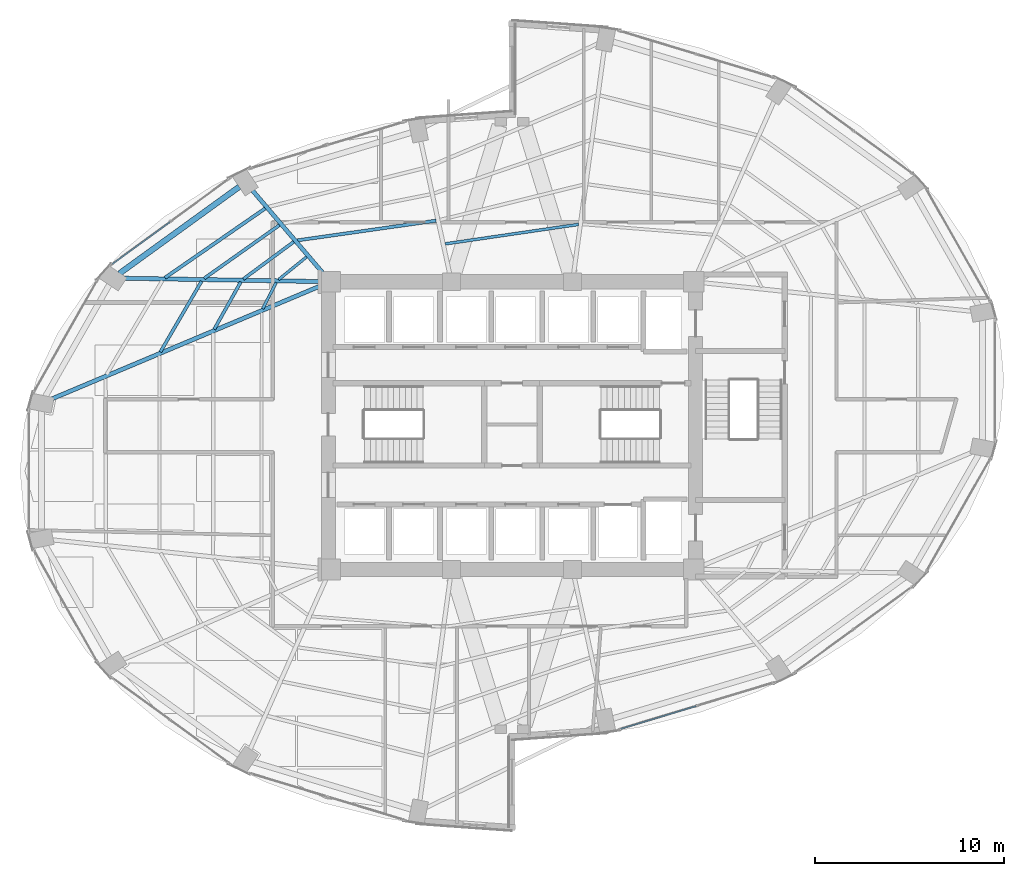
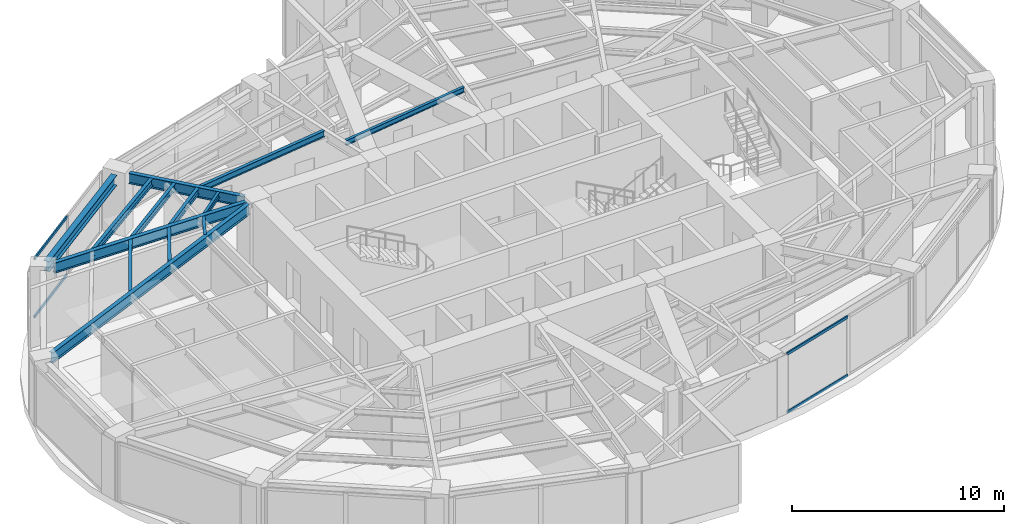
# One storey, part 9 of 23: 13 beams, 4 members, 2 elements without a shape of their own.
"""IFC4 building model written with IfcOpenShell, lengths in metres."""

import ifcopenshell
import ifcopenshell.guid

model = None  # the IFC model being written
_history = None  # IfcOwnerHistory: only IFC2X3 demands one
_inside = {}  # id of a spatial element -> (the spatial element, [elements in it])
_under = {}  # id of a project, library or spatial element -> (it, [spatial elements below it])
_declared = {}  # id of a project -> (the project, [libraries it declares])
_typed = {}  # id of a type object -> (the type object, [elements of that type])
_made_of = {}  # id of a material, layer set ... -> (it, [elements and type objects made of it])


def new_model(schema):
    """Start an empty IFC model of exactly this schema.

    Asked for "IFC4X3", IfcOpenShell would pick the latest addendum, in which some entities
    have other attributes; the version numbers below select the first issue.
    IFC2X3 requires an IfcOwnerHistory on every rooted entity: one is made here for all.
    """
    global model, _history
    if schema == "IFC4X3":
        model = ifcopenshell.file(schema_version=(4, 3, 0, 0))
    else:
        model = ifcopenshell.file(schema=schema)
    _inside.clear()
    _under.clear()
    _declared.clear()
    _typed.clear()
    _made_of.clear()
    _history = None
    if model.schema == "IFC2X3":
        org = make("IfcOrganization", Name="unknown")
        user = make(
            "IfcPersonAndOrganization",
            ThePerson=make("IfcPerson", FamilyName="unknown"),
            TheOrganization=org,
        )
        app = make(
            "IfcApplication",
            ApplicationDeveloper=org,
            Version="unknown",
            ApplicationFullName="unknown",
            ApplicationIdentifier="unknown",
        )
        _history = make(
            "IfcOwnerHistory",
            OwningUser=user,
            OwningApplication=app,
            ChangeAction="ADDED",
            CreationDate=0,
        )
    return model


def make(cls, **values):
    """One entity of the class cls with the attributes given. An attribute that is None is left unset."""
    return model.create_entity(
        cls, **{name: value for name, value in values.items() if value is not None}
    )


def rooted(cls, **values):
    """An entity with a GlobalId (a new one), such as an element, a storey or a relation."""
    return make(cls, GlobalId=ifcopenshell.guid.new(), OwnerHistory=_history, **values)


def si_unit(unit_type, name, prefix=None):
    """IfcSIUnit, for example si_unit("LENGTHUNIT", "METRE", prefix="MILLI")."""
    return make("IfcSIUnit", UnitType=unit_type, Prefix=prefix, Name=name)


def assignment(units):
    """IfcUnitAssignment: the units of a project."""
    return None if units is None else make("IfcUnitAssignment", Units=units)


def point(xyz):
    """IfcCartesianPoint."""
    return None if xyz is None else make("IfcCartesianPoint", Coordinates=xyz)


def direction(xyz):
    """IfcDirection."""
    return None if xyz is None else make("IfcDirection", DirectionRatios=xyz)


def frame(location, z_axis=None, x_axis=None):
    """IfcAxis2Placement3D, a coordinate frame: its origin and axes. An axis left out is left unset."""
    return make(
        "IfcAxis2Placement3D",
        Location=point(location),
        Axis=direction(z_axis),
        RefDirection=direction(x_axis),
    )


def frame_2d(location, x_axis=None):
    """IfcAxis2Placement2D, a coordinate frame in the plane: its origin and x axis."""
    return make(
        "IfcAxis2Placement2D", Location=point(location), RefDirection=direction(x_axis)
    )


def origin():
    """The frame at (0, 0, 0) with its axes left unset."""
    return frame((0.0, 0.0, 0.0))


def origin_2d():
    """The frame at (0, 0) in the plane with its x axis left unset."""
    return frame_2d((0.0, 0.0))


def place(relative_to, where):
    """IfcLocalPlacement: puts the frame where relative to a parent placement (None: the world)."""
    return make(
        "IfcLocalPlacement", PlacementRelTo=relative_to, RelativePlacement=where
    )


def context(
    kind, dimensions, precision=None, world=None, true_north=None, identifier=None
):
    """IfcGeometricRepresentationContext, for example the 3D "Model" context."""
    return make(
        "IfcGeometricRepresentationContext",
        ContextIdentifier=identifier,
        ContextType=kind,
        CoordinateSpaceDimension=dimensions,
        Precision=precision,
        WorldCoordinateSystem=world,
        TrueNorth=true_north,
    )


def subcontext(parent, identifier, kind, view, scale=None):
    """IfcGeometricRepresentationSubContext, for example "Body" below "Model"."""
    return make(
        "IfcGeometricRepresentationSubContext",
        ContextIdentifier=identifier,
        ContextType=kind,
        ParentContext=parent,
        TargetScale=scale,
        TargetView=view,
    )


def project(units=None, contexts=None):
    """IfcProject with its units and contexts."""
    return rooted(
        "IfcProject",
        Name="project",
        RepresentationContexts=contexts,
        UnitsInContext=assignment(units),
    )


def spatial(cls, under=None, at=None, **own):
    """A site, building, storey or space (cls), placed at a placement, below another one or the project."""
    s = rooted(cls, ObjectPlacement=at, **own)
    if under is not None:
        _under.setdefault(under.id(), (under, []))[1].append(s)
    return s


def profile(cls, at=None, kind="AREA", **sizes):
    """A parametric profile (cls). Its sizes go by their IFC names, for example OverallWidth=200.0."""
    return make(cls, ProfileType=kind, Position=at, **sizes)


def hollow_rectangle(**sizes):
    """IfcRectangleHollowProfileDef."""
    return profile("IfcRectangleHollowProfileDef", **sizes)


def i_section(**sizes):
    """IfcIShapeProfileDef."""
    return profile("IfcIShapeProfileDef", **sizes)


def extrude(swept, where, along, depth):
    """IfcExtrudedAreaSolid: the profile swept, set in the frame where, extruded along a direction by depth."""
    return make(
        "IfcExtrudedAreaSolid",
        SweptArea=swept,
        Position=where,
        ExtrudedDirection=direction(along),
        Depth=depth,
    )


def shape(context_of_items, identifier, shape_type, items):
    """IfcShapeRepresentation: the items that make up one representation, for example the "Body"."""
    return make(
        "IfcShapeRepresentation",
        ContextOfItems=context_of_items,
        RepresentationIdentifier=identifier,
        RepresentationType=shape_type,
        Items=items,
    )


def material(Name=None, Category=None):
    """IfcMaterial."""
    return make("IfcMaterial", Name=Name, Category=Category)


def layer(
    of_material, thickness, ventilated=None, Name=None, Category=None, Priority=None
):
    """IfcMaterialLayer: one layer of a wall or slab, of a material (None: an air gap)."""
    return make(
        "IfcMaterialLayer",
        Material=of_material,
        LayerThickness=thickness,
        IsVentilated=ventilated,
        Name=Name,
        Category=Category,
        Priority=Priority,
    )


def layer_set(layers, Name=None):
    """IfcMaterialLayerSet."""
    return make("IfcMaterialLayerSet", MaterialLayers=layers, LayerSetName=Name)


def material_profile(
    of_material, cross_section, Name=None, Category=None, Priority=None
):
    """IfcMaterialProfile: a cross section and its material."""
    return make(
        "IfcMaterialProfile",
        Name=Name,
        Material=of_material,
        Profile=cross_section,
        Priority=Priority,
        Category=Category,
    )


def profile_set(profiles, Name=None, composite=None):
    """IfcMaterialProfileSet."""
    return make(
        "IfcMaterialProfileSet",
        Name=Name,
        MaterialProfiles=profiles,
        CompositeProfile=composite,
    )


def made_of(thing, what):
    """Note that an element or type object is made of a material, layer set ...; save() writes the relation."""
    if what is not None:
        _made_of.setdefault(what.id(), (what, []))[1].append(thing)
    return thing


def type_object(cls, material=None, **own):
    """A type object (cls), such as IfcWallType, which elements share."""
    return made_of(rooted(cls, **own), material)


def element(
    cls,
    number,
    at=None,
    inside=None,
    cuts=None,
    type_object=None,
    material=None,
    context=None,
    identifier="Body",
    shape_type=None,
    held_by="IfcProductDefinitionShape",
    body=None,
    shapes=None,
    **own,
):
    """One element of the class cls, such as IfcWall. Its Tag is "e" and its number.

    at: its placement. inside: the storey or other place that contains it. cuts: it is an
    opening in that element (IfcRelVoidsElement). A single representation is given by context,
    identifier, shape_type and body (its items); several are given by shapes. held_by: the class
    of the entity that holds the representations. save() writes the other relations.
    """
    e = rooted(cls, Tag="e%d" % number, ObjectPlacement=at, **own)
    if body is not None:
        shapes = [shape(context, identifier, shape_type, body)]
    if shapes is not None:
        e.Representation = make(held_by, Representations=shapes)
    if inside is not None:
        _inside.setdefault(inside.id(), (inside, []))[1].append(e)
    if cuts is not None:
        rooted(
            "IfcRelVoidsElement", RelatingBuildingElement=cuts, RelatedOpeningElement=e
        )
    if type_object is not None:
        _typed.setdefault(type_object.id(), (type_object, []))[1].append(e)
    return made_of(e, material)


def aggregate(whole, parts):
    """IfcRelAggregates: a whole, such as a stair, and the parts it consists of."""
    return rooted("IfcRelAggregates", RelatingObject=whole, RelatedObjects=parts)


def save(model, path):
    """Write the relations noted so far, then the file.

    IfcRelAggregates (storeys below a building ...), IfcRelContainedInSpatialStructure (elements
    in a storey), IfcRelDefinesByType, IfcRelAssociatesMaterial and IfcRelDeclares: one each for
    every whole, place, type object, material and project.
    """
    for whole, parts in _under.values():
        aggregate(whole, parts)
    for where, things in _inside.values():
        rooted(
            "IfcRelContainedInSpatialStructure",
            RelatedElements=things,
            RelatingStructure=where,
        )
    for kind, things in _typed.values():
        rooted("IfcRelDefinesByType", RelatedObjects=things, RelatingType=kind)
    for what, things in _made_of.values():
        rooted("IfcRelAssociatesMaterial", RelatedObjects=things, RelatingMaterial=what)
    for by, libraries in _declared.values():
        rooted("IfcRelDeclares", RelatingContext=by, RelatedDefinitions=libraries)
    model.write(path)


model = new_model("IFC4")

# Units and contexts
model_context = context("Model", 3, precision=1e-05, world=origin(), true_north=direction((0.0, 1.0)))
body_context = subcontext(model_context, "Body", "Model", "MODEL_VIEW")
ifc_project = project(units=[si_unit("LENGTHUNIT", "METRE"), si_unit("AREAUNIT", "SQUARE_METRE"), si_unit("VOLUMEUNIT", "CUBIC_METRE"), si_unit("PLANEANGLEUNIT", "RADIAN"), si_unit("MASSUNIT", "GRAM", prefix="KILO")], contexts=[model_context])

# Site, building, storey
site_placement = place(None, origin())
site = spatial("IfcSite", under=ifc_project, at=site_placement, CompositionType="ELEMENT")
building_placement = place(site_placement, origin())
building = spatial("IfcBuilding", under=site, at=building_placement, Name="Lazwardi Medical Tower", CompositionType="ELEMENT")
storey_placement = place(building_placement, frame((0.0, 0.0, 81.743896484375)))
storey = spatial("IfcBuildingStorey", under=building, at=storey_placement, Name="L20", CompositionType="ELEMENT", Elevation=81.743896484375)

# Beams
ifc_material_1 = material(Name="Steel S355", Category="steel")
ifc_material_profile_1 = material_profile(ifc_material_1, i_section(OverallWidth=0.300048828125, OverallDepth=0.60009765625, WebThickness=0.015380859375, FlangeThickness=0.030029296875, at=origin_2d()), Name="HEB 600")
ifc_profile_set_1 = profile_set([ifc_material_profile_1], Name="Steel S355")
beam_type_1 = type_object("IfcBeamType", Name="BM-RB-Z2", PredefinedType="BEAM", material=ifc_profile_set_1)
beam_1_placement = place(storey_placement, frame((21.584228515625, 40.6171875, 3.128173828125), z_axis=(-0.810041907649, -0.586371987609, 0.0), x_axis=(0.586371987609, -0.810041907649, 0.0)))
element("IfcBeam", 1, at=beam_1_placement, inside=storey, type_object=beam_type_1, Name="Ring beam RB-03 B10 L20", PredefinedType="BEAM", context=body_context, shape_type="SweptSolid", body=[
    extrude(i_section(OverallWidth=0.300048828125, OverallDepth=0.60009765625, WebThickness=0.015380859375, FlangeThickness=0.030029296875, at=origin_2d()), origin(), (0.0, 0.0, 1.0), 7.814208984375),
])
ifc_material_profile_2 = material_profile(ifc_material_1, i_section(OverallWidth=0.219970703125, OverallDepth=0.60009765625, WebThickness=0.011962890625, FlangeThickness=0.01904296875, at=origin_2d()), Name="IPE 600")
ifc_profile_set_2 = profile_set([ifc_material_profile_2], Name="Steel S355")
beam_type_2 = type_object("IfcBeamType", Name="BM-RG-W1", PredefinedType="BEAM", material=ifc_profile_set_2)
beam_2_placement = place(storey_placement, frame((22.292724609375, 40.416259765625, 3.128173828125), z_axis=(0.648870567436, -0.760898801889, 0.0), x_axis=(0.760898801889, 0.648870567436, 0.0)))
element("IfcBeam", 2, at=beam_2_placement, inside=storey, type_object=beam_type_2, Name="Radial girder RG-02 R10 L20", PredefinedType="BEAM", context=body_context, shape_type="SweptSolid", body=[
    extrude(i_section(OverallWidth=0.219970703125, OverallDepth=0.60009765625, WebThickness=0.011962890625, FlangeThickness=0.01904296875, at=origin_2d()), origin(), (0.0, 0.0, 1.0), 5.794677734375),
])
beam_3_placement = place(storey_placement, frame((15.502197265625, 35.784912109375, 3.128173828125), z_axis=(0.99985616395, -0.016960289263, 0.0), x_axis=(0.016960289263, 0.99985616395, 0.0)))
element("IfcBeam", 3, at=beam_3_placement, inside=storey, type_object=beam_type_2, Name="Radial girder RG-02 R11 L20", PredefinedType="BEAM", context=body_context, shape_type="SweptSolid", body=[
    extrude(i_section(OverallWidth=0.219970703125, OverallDepth=0.60009765625, WebThickness=0.011962890625, FlangeThickness=0.01904296875, at=origin_2d()), origin(), (0.0, 0.0, 1.0), 10.3642578125),
])
beam_4_placement = place(storey_placement, frame((11.671630859375, 29.40478515625, 3.128173828125), z_axis=(0.921775176005, 0.38772480563, 0.0), x_axis=(-0.38772480563, 0.921775176005, 0.0)))
element("IfcBeam", 4, at=beam_4_placement, inside=storey, type_object=beam_type_2, Name="Radial girder RG-02 R12 L20", PredefinedType="BEAM", context=body_context, shape_type="SweptSolid", body=[
    extrude(i_section(OverallWidth=0.219970703125, OverallDepth=0.60009765625, WebThickness=0.011962890625, FlangeThickness=0.01904296875, at=origin_2d()), origin(), (0.0, 0.0, 1.0), 15.443359375),
])
ifc_material_profile_3 = material_profile(ifc_material_1, i_section(OverallWidth=0.179931640625, OverallDepth=0.39990234375, WebThickness=0.008544921875, FlangeThickness=0.013427734375, at=origin_2d()), Name="IPE 400")
ifc_profile_set_3 = profile_set([ifc_material_profile_3], Name="Steel S355")
beam_type_3 = type_object("IfcBeamType", Name="BM-SJ-01", PredefinedType="JOIST", material=ifc_profile_set_3)
beam_5_placement = place(storey_placement, frame((22.95849609375, 39.474609375, 3.22802734375), z_axis=(-0.822376339068, -0.568943896128, 0.0), x_axis=(0.568943896128, -0.822376339068, 0.0)))
element("IfcBeam", 5, at=beam_5_placement, inside=storey, type_object=beam_type_3, Name="Secondary joist SJ-01 R1 B10 L20", PredefinedType="JOIST", context=body_context, shape_type="SweptSolid", body=[
    extrude(i_section(OverallWidth=0.179931640625, OverallDepth=0.39990234375, WebThickness=0.008544921875, FlangeThickness=0.013427734375, at=origin_2d()), origin(), (0.0, 0.0, 1.0), 6.44189453125),
])
ifc_material_profile_4 = material_profile(ifc_material_1, i_section(OverallWidth=0.169921875, OverallDepth=0.360107421875, WebThickness=0.008056640625, FlangeThickness=0.0126953125, at=origin_2d()), Name="IPE 360")
ifc_profile_set_4 = profile_set([ifc_material_profile_4], Name="Steel S355")
beam_type_4 = type_object("IfcBeamType", Name="BM-SJ-02", PredefinedType="JOIST", material=ifc_profile_set_4)
beam_6_placement = place(storey_placement, frame((23.7109375, 38.591796875, 3.248046875), z_axis=(-0.816156371539, -0.577831097464, 0.0), x_axis=(0.577831097464, -0.816156371539, 0.0)))
element("IfcBeam", 6, at=beam_6_placement, inside=storey, type_object=beam_type_4, Name="Secondary joist SJ-02 R2 B10 L20", PredefinedType="JOIST", context=body_context, shape_type="SweptSolid", body=[
    extrude(i_section(OverallWidth=0.169921875, OverallDepth=0.360107421875, WebThickness=0.008056640625, FlangeThickness=0.0126953125, at=origin_2d()), origin(), (0.0, 0.0, 1.0), 4.8740234375),
])
beam_7_placement = place(storey_placement, frame((19.594482421875, 35.623779296875, 3.248046875), z_axis=(-0.503544274258, -0.86396942299, 0.0), x_axis=(0.86396942299, -0.503544274258, 0.0)))
element("IfcBeam", 7, at=beam_7_placement, inside=storey, type_object=beam_type_4, Name="Secondary joist SJ-02 R2 B11 L20", PredefinedType="JOIST", context=body_context, shape_type="SweptSolid", body=[
    extrude(i_section(OverallWidth=0.169921875, OverallDepth=0.360107421875, WebThickness=0.008056640625, FlangeThickness=0.0126953125, at=origin_2d()), origin(), (0.0, 0.0, 1.0), 4.321044921875),
])
beam_8_placement = place(storey_placement, frame((31.988525390625, 38.8271484375, 3.248046875), z_axis=(-0.990067108571, -0.140595592128, 0.0), x_axis=(0.140595592128, -0.990067108571, 0.0)))
element("IfcBeam", 8, at=beam_8_placement, inside=storey, type_object=beam_type_4, Name="Secondary joist SJ-02 R3 B09 L20", PredefinedType="JOIST", context=body_context, shape_type="SweptSolid", body=[
    extrude(i_section(OverallWidth=0.169921875, OverallDepth=0.360107421875, WebThickness=0.008056640625, FlangeThickness=0.0126953125, at=origin_2d()), origin(), (0.0, 0.0, 1.0), 7.409423828125),
])
beam_9_placement = place(storey_placement, frame((24.46435546875, 37.708251953125, 3.248046875), z_axis=(-0.804125525058, -0.594459536008, 0.0), x_axis=(0.594459536008, -0.804125525058, 0.0)))
element("IfcBeam", 9, at=beam_9_placement, inside=storey, type_object=beam_type_4, Name="Secondary joist SJ-02 R3 B10 L20", PredefinedType="JOIST", context=body_context, shape_type="SweptSolid", body=[
    extrude(i_section(OverallWidth=0.169921875, OverallDepth=0.360107421875, WebThickness=0.008056640625, FlangeThickness=0.0126953125, at=origin_2d()), origin(), (0.0, 0.0, 1.0), 3.30810546875),
])
beam_10_placement = place(storey_placement, frame((21.66845703125, 35.587890625, 3.248046875), z_axis=(-0.489860824278, -0.871800649711, 0.0), x_axis=(0.871800649711, -0.489860824278, 0.0)))
element("IfcBeam", 10, at=beam_10_placement, inside=storey, type_object=beam_type_4, Name="Secondary joist SJ-02 R3 B11 L20", PredefinedType="JOIST", context=body_context, shape_type="SweptSolid", body=[
    extrude(i_section(OverallWidth=0.169921875, OverallDepth=0.360107421875, WebThickness=0.008056640625, FlangeThickness=0.0126953125, at=origin_2d()), origin(), (0.0, 0.0, 1.0), 2.8662109375),
])
ifc_material_profile_5 = material_profile(ifc_material_1, i_section(OverallWidth=0.14990234375, OverallDepth=0.300048828125, WebThickness=0.007080078125, FlangeThickness=0.0107421875, at=origin_2d()), Name="IPE 300")
ifc_profile_set_5 = profile_set([ifc_material_profile_5], Name="Steel S355")
beam_type_5 = type_object("IfcBeamType", Name="BM-SJ-03", PredefinedType="JOIST", material=ifc_profile_set_5)
beam_11_placement = place(storey_placement, frame((39.511474609375, 38.62939453125, 3.278076171875), z_axis=(-0.98949221477, -0.144586157392, 0.0), x_axis=(0.144586157392, -0.98949221477, 0.0)))
element("IfcBeam", 11, at=beam_11_placement, inside=storey, type_object=beam_type_5, Name="Secondary joist SJ-03 R4 B08 L20", PredefinedType="JOIST", context=body_context, shape_type="SweptSolid", body=[
    extrude(i_section(OverallWidth=0.14990234375, OverallDepth=0.300048828125, WebThickness=0.007080078125, FlangeThickness=0.0107421875, at=origin_2d()), origin(), (0.0, 0.0, 1.0), 7.115478515625),
])
beam_12_placement = place(storey_placement, frame((25.14404296875, 36.910888671875, 3.278076171875), z_axis=(-0.77695773322, -0.629552762515, 0.0), x_axis=(0.629552762515, -0.77695773322, 0.0)))
element("IfcBeam", 12, at=beam_12_placement, inside=storey, type_object=beam_type_5, Name="Secondary joist SJ-03 R4 B10 L20", PredefinedType="JOIST", context=body_context, shape_type="SweptSolid", body=[
    extrude(i_section(OverallWidth=0.14990234375, OverallDepth=0.300048828125, WebThickness=0.007080078125, FlangeThickness=0.0107421875, at=origin_2d()), origin(), (0.0, 0.0, 1.0), 1.9013671875),
])
beam_13_placement = place(storey_placement, frame((23.537109375, 35.554443359375, 3.278076171875), z_axis=(-0.457956589674, -0.888974556427, 0.0), x_axis=(0.888974556427, -0.457956589674, 0.0)))
element("IfcBeam", 13, at=beam_13_placement, inside=storey, type_object=beam_type_5, Name="Secondary joist SJ-03 R4 B11 L20", PredefinedType="JOIST", context=body_context, shape_type="SweptSolid", body=[
    extrude(i_section(OverallWidth=0.14990234375, OverallDepth=0.300048828125, WebThickness=0.007080078125, FlangeThickness=0.0107421875, at=origin_2d()), origin(), (0.0, 0.0, 1.0), 1.558837890625),
])

# Curtain wall, members
ifc_material_2 = material(Name="Anodised bronze aluminium and solar control glazing", Category="aluminium")
ifc_layer = layer(ifc_material_2, 0.195068359375)
ifc_layer_set = layer_set([ifc_layer], Name="Anodised bronze aluminium and solar control glazing")
curtain_wall_type = type_object("IfcCurtainWallType", Name="CW-SYS-03", PredefinedType="NOTDEFINED", material=ifc_layer_set)
curtain_wall_1_placement = place(storey_placement, origin())
curtain_wall_1 = element("IfcCurtainWall", 14, at=curtain_wall_1_placement, inside=storey, type_object=curtain_wall_type, Name="L20 Unitised bronze curtain wall CW-03", PredefinedType="NOTDEFINED")
ifc_material_3 = material(Name="Anodised bronze aluminium", Category="aluminium")
ifc_material_profile_6 = material_profile(ifc_material_3, hollow_rectangle(XDim=0.074951171875, YDim=0.159912109375, WallThickness=0.00390625, at=origin_2d()), Name="ALU-TRANSOM 160x75x4")
ifc_profile_set_6 = profile_set([ifc_material_profile_6], Name="Anodised bronze aluminium")
member_type = type_object("IfcMemberType", Name="CW-TRN-01", PredefinedType="USERDEFINED", material=ifc_profile_set_6)
member_1_placement = place(storey_placement, frame((41.74609375, 11.970703125, 0.03759765625), z_axis=(0.957220865985, 0.289358279168, 0.0), x_axis=(-0.289358279168, 0.957220865985, 0.0)))
member_1 = element("IfcMember", 15, at=member_1_placement, type_object=member_type, Name="CW-03 transom 1.1", ObjectType="TRANSOM", PredefinedType="USERDEFINED", context=body_context, shape_type="SweptSolid", body=[
    extrude(hollow_rectangle(XDim=0.074951171875, YDim=0.159912109375, WallThickness=0.00390625, at=origin_2d()), origin(), (0.0, 0.0, 1.0), 4.16552734375),
])
member_2_placement = place(storey_placement, frame((41.74609375, 11.970703125, 3.390625), z_axis=(0.957220865985, 0.289358279168, 0.0), x_axis=(-0.289358279168, 0.957220865985, 0.0)))
member_2 = element("IfcMember", 16, at=member_2_placement, type_object=member_type, Name="CW-03 transom 1.2", ObjectType="TRANSOM", PredefinedType="USERDEFINED", context=body_context, shape_type="SweptSolid", body=[
    extrude(hollow_rectangle(XDim=0.074951171875, YDim=0.159912109375, WallThickness=0.00390625, at=origin_2d()), origin(), (0.0, 0.0, 1.0), 4.16552734375),
])
aggregate(curtain_wall_1, [member_1, member_2])

curtain_wall_2_placement = place(storey_placement, origin())
curtain_wall_2 = element("IfcCurtainWall", 17, at=curtain_wall_2_placement, inside=storey, type_object=curtain_wall_type, Name="L20 Unitised bronze curtain wall CW-03", PredefinedType="NOTDEFINED")
member_3_placement = place(storey_placement, frame((17.918701171875, 38.752197265625, 0.03759765625), z_axis=(-0.807731734271, -0.589550206049, 0.0), x_axis=(0.589550206049, -0.807731734271, 0.0)))
member_3 = element("IfcMember", 18, at=member_3_placement, type_object=member_type, Name="CW-03 transom 2.1", ObjectType="TRANSOM", PredefinedType="USERDEFINED", context=body_context, shape_type="SweptSolid", body=[
    extrude(hollow_rectangle(XDim=0.074951171875, YDim=0.159912109375, WallThickness=0.00390625, at=origin_2d()), origin(), (0.0, 0.0, 1.0), 3.767578125),
])
member_4_placement = place(storey_placement, frame((17.918701171875, 38.752197265625, 3.390625), z_axis=(-0.807731734271, -0.589550206049, 0.0), x_axis=(0.589550206049, -0.807731734271, 0.0)))
member_4 = element("IfcMember", 19, at=member_4_placement, type_object=member_type, Name="CW-03 transom 2.2", ObjectType="TRANSOM", PredefinedType="USERDEFINED", context=body_context, shape_type="SweptSolid", body=[
    extrude(hollow_rectangle(XDim=0.074951171875, YDim=0.159912109375, WallThickness=0.00390625, at=origin_2d()), origin(), (0.0, 0.0, 1.0), 3.767578125),
])
aggregate(curtain_wall_2, [member_3, member_4])

save(model, "model.ifc")
